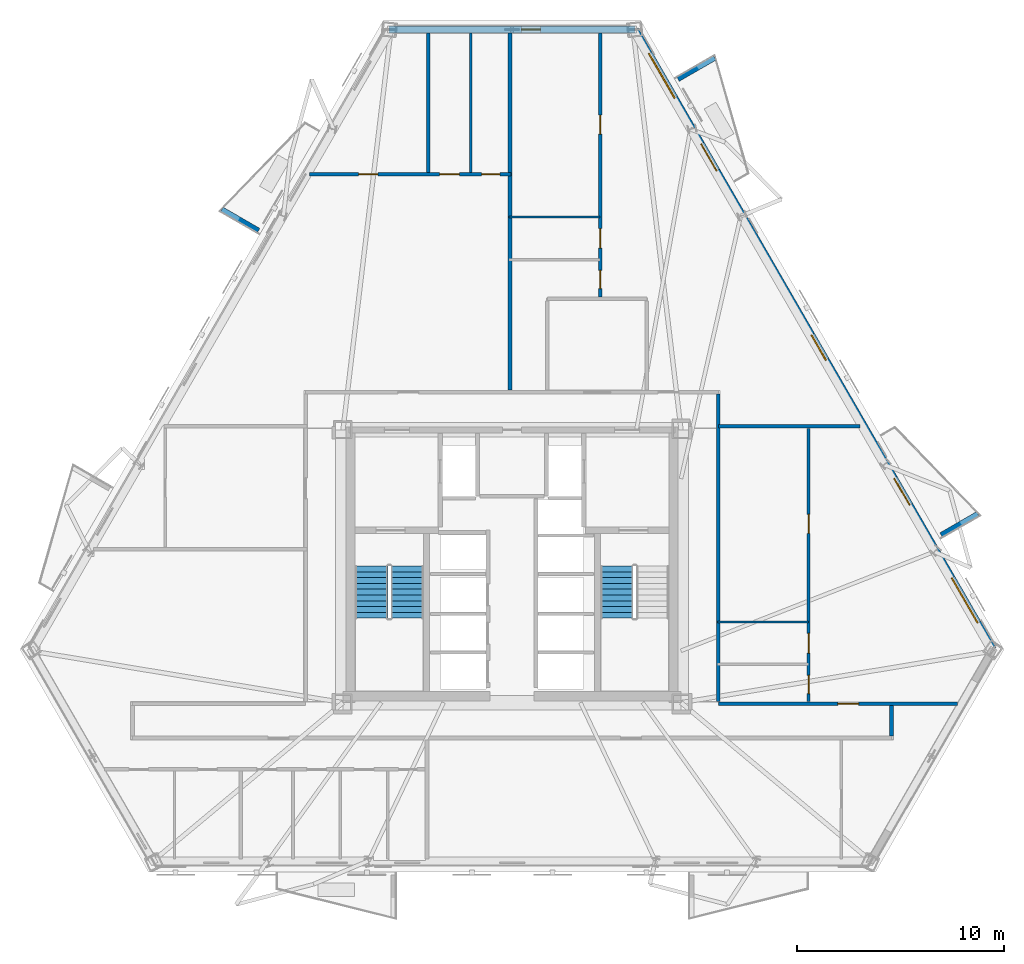
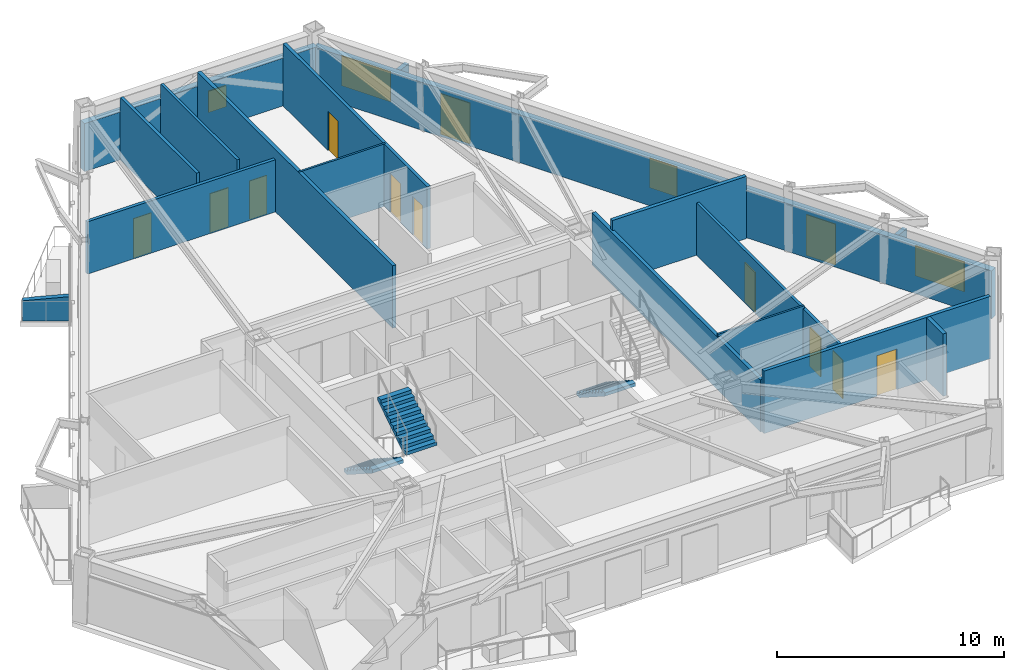
# One storey, part 5 of 10: 17 walls, 12 doors, 4 windows, 3 stair flights, 16 openings, 2 elements without a shape of their own.
"""IFC4 building model written with IfcOpenShell, lengths in metres."""

from ifc_helpers import new_model, si_unit, direction, frame, frame_2d, origin, place, context, subcontext, project, spatial, polyline, rectangle, outline, extrude, material, layer, layer_set, type_object, element, fill, aggregate, save


model = new_model("IFC4")

# Units and contexts
model_context = context("Model", 3, precision=1e-05, world=origin(), true_north=direction((0.0, 1.0)))
body_context = subcontext(model_context, "Body", "Model", "MODEL_VIEW")
ifc_project = project(units=[si_unit("LENGTHUNIT", "METRE"), si_unit("AREAUNIT", "SQUARE_METRE"), si_unit("VOLUMEUNIT", "CUBIC_METRE"), si_unit("PLANEANGLEUNIT", "RADIAN"), si_unit("MASSUNIT", "GRAM", prefix="KILO")], contexts=[model_context])

# Site, building, storey
site_placement = place(None, origin())
site = spatial("IfcSite", under=ifc_project, at=site_placement, CompositionType="ELEMENT")
building_placement = place(site_placement, origin())
building = spatial("IfcBuilding", under=site, at=building_placement, Name="Oramaril Tower", CompositionType="ELEMENT")
storey_placement = place(building_placement, frame((0.0, 0.0, 100.5)))
storey = spatial("IfcBuildingStorey", under=building, at=storey_placement, Name="L26", CompositionType="ELEMENT", Elevation=100.5)

# Wall, openings, doors, windows
ifc_material_1 = material(Name="Warm Cream Limestone", Category="masonry")
ifc_layer_1 = layer(ifc_material_1, 0.340087890625)
ifc_layer_set_1 = layer_set([ifc_layer_1], Name="WT-EXT34")
wall_type_1 = type_object("IfcWallType", Name="WT-EXT34", PredefinedType="SOLIDWALL", material=ifc_layer_set_1)
wall_1_placement = place(storey_placement, frame((60.690185546875, 13.560791015625, 0.0), z_axis=(0.0, 0.0, 1.0), x_axis=(-0.500002056916, 0.86602421622, 0.0)))
wall_1 = element("IfcWall", 1, at=wall_1_placement, inside=storey, type_object=wall_type_1, Name="L26 Tower Limestone Facade Wall 4M", PredefinedType="SOLIDWALL", context=body_context, shape_type="SweptSolid", body=[
    extrude(rectangle(XDim=34.516357421875, YDim=0.340087890625, at=frame_2d((17.25830078125, 0.0))), origin(), (0.0, 0.0, 1.0), 2.577880859375),
])
opening_1_placement = place(wall_1_placement, frame((8.034423828125, 0.0, 0.0)))
opening_1 = element("IfcOpeningElement", 2, at=opening_1_placement, cuts=wall_1, Name="Opening D-L26-BAL-NE1", PredefinedType="OPENING", context=body_context, shape_type="SweptSolid", body=[
    extrude(rectangle(XDim=1.5, YDim=2.199951171875, at=frame_2d((0.75, 1.10009765625))), frame((0.0, 0.169921875, 0.0), z_axis=(0.0, -1.0, 0.0), x_axis=(1.0, 0.0, 0.0)), (0.0, 0.0, 1.0), 0.340087890625),
])
opening_2_placement = place(wall_1_placement, frame((26.647216796875, 0.0, 0.0)))
opening_2 = element("IfcOpeningElement", 3, at=opening_2_placement, cuts=wall_1, Name="Opening D-L26-BAL-NE2", PredefinedType="OPENING", context=body_context, shape_type="SweptSolid", body=[
    extrude(rectangle(XDim=1.5, YDim=2.199951171875, at=frame_2d((0.75, 1.10009765625))), frame((0.0, 0.169921875, 0.0), z_axis=(0.0, -1.0, 0.0), x_axis=(1.0, 0.0, 0.0)), (0.0, 0.0, 1.0), 0.340087890625),
])
opening_3_placement = place(wall_1_placement, frame((1.47705078125, 0.0, 0.85009765625)))
opening_3 = element("IfcOpeningElement", 4, at=opening_3_placement, cuts=wall_1, Name="Opening WN-11", PredefinedType="OPENING", context=body_context, shape_type="SweptSolid", body=[
    extrude(rectangle(XDim=2.5, YDim=1.617919921875, at=frame_2d((1.25, 0.80908203125))), frame((0.0, 0.169921875, 0.0), z_axis=(0.0, -1.0, 0.0), x_axis=(1.0, 0.0, 0.0)), (0.0, 0.0, 1.0), 0.340087890625),
])
opening_4_placement = place(wall_1_placement, frame((16.107421875, 0.0, 0.85009765625)))
opening_4 = element("IfcOpeningElement", 5, at=opening_4_placement, cuts=wall_1, Name="Opening WN-08", PredefinedType="OPENING", context=body_context, shape_type="SweptSolid", body=[
    extrude(rectangle(XDim=1.39990234375, YDim=1.60009765625, at=frame_2d((0.699951171875, 0.800048828125))), frame((0.0, 0.169921875, 0.0), z_axis=(0.0, -1.0, 0.0), x_axis=(1.0, 0.0, 0.0)), (0.0, 0.0, 1.0), 0.340087890625),
])
opening_5_placement = place(wall_1_placement, frame((30.692626953125, 0.0, 0.85009765625)))
opening_5 = element("IfcOpeningElement", 6, at=opening_5_placement, cuts=wall_1, Name="Opening WN-11", PredefinedType="OPENING", context=body_context, shape_type="SweptSolid", body=[
    extrude(rectangle(XDim=2.5, YDim=1.617919921875, at=frame_2d((1.25, 0.80908203125))), frame((0.0, 0.169921875, 0.0), z_axis=(0.0, -1.0, 0.0), x_axis=(1.0, 0.0, 0.0)), (0.0, 0.0, 1.0), 0.340087890625),
])
ifc_material_2 = material(Name="Anodised Aluminium 6063-T6", Category="aluminium")
door_type_1 = type_object("IfcDoorType", Name="DT-BAL", OperationType="NOTDEFINED", PredefinedType="DOOR", material=ifc_material_2)
door_1_placement = place(opening_1_placement, origin())
door_1 = element("IfcDoor", 7, at=door_1_placement, inside=storey, type_object=door_type_1, Name="L26 Balcony Glazed Door L26-BAL-NE1", OperationType="SINGLE_SWING_LEFT", OverallHeight=2.199951171875, OverallWidth=1.5, PredefinedType="DOOR", context=body_context, shape_type="SweptSolid", body=[
    extrude(rectangle(XDim=1.5, YDim=2.199951171875, at=frame_2d((0.75, 1.10009765625))), frame((0.0, 0.02490234375, 0.0), z_axis=(0.0, -1.0, 0.0), x_axis=(1.0, 0.0, 0.0)), (0.0, 0.0, 1.0), 0.050048828125),
])
fill(opening_1, door_1)
door_2_placement = place(opening_2_placement, origin())
door_2 = element("IfcDoor", 8, at=door_2_placement, inside=storey, type_object=door_type_1, Name="L26 Balcony Glazed Door L26-BAL-NE2", OperationType="SINGLE_SWING_RIGHT", OverallHeight=2.199951171875, OverallWidth=1.5, PredefinedType="DOOR", context=body_context, shape_type="SweptSolid", body=[
    extrude(rectangle(XDim=1.5, YDim=2.199951171875, at=frame_2d((0.75, 1.10009765625))), frame((0.0, 0.02490234375, 0.0), z_axis=(0.0, -1.0, 0.0), x_axis=(1.0, 0.0, 0.0)), (0.0, 0.0, 1.0), 0.050048828125),
])
fill(opening_2, door_2)
ifc_material_3 = material(Name="Coastal Low-E Insulated Glass", Category="glass")
window_type_1 = type_object("IfcWindowType", Name="WNT-08", PartitioningType="SINGLE_PANEL", PredefinedType="WINDOW", material=ifc_material_3)
window_1_placement = place(opening_4_placement, origin())
window_1 = element("IfcWindow", 9, at=window_1_placement, inside=storey, type_object=window_type_1, Name="L26 Chicago Bay Window WN-08", OverallHeight=1.60009765625, OverallWidth=1.39990234375, PartitioningType="SINGLE_PANEL", PredefinedType="WINDOW", context=body_context, shape_type="SweptSolid", body=[
    extrude(rectangle(XDim=1.39990234375, YDim=1.60009765625, at=frame_2d((0.699951171875, 0.800048828125))), frame((0.0, 0.030029296875, 0.0), z_axis=(0.0, -1.0, 0.0), x_axis=(1.0, 0.0, 0.0)), (0.0, 0.0, 1.0), 0.06005859375),
])
fill(opening_4, window_1)
ifc_material_4 = material(Name="Coastal Low-E Insulated Glass", Category="glass")
window_type_2 = type_object("IfcWindowType", Name="WNT-11", PartitioningType="SINGLE_PANEL", PredefinedType="WINDOW", material=ifc_material_4)
window_2_placement = place(opening_3_placement, origin())
window_2 = element("IfcWindow", 10, at=window_2_placement, inside=storey, type_object=window_type_2, Name="L26 Chicago Bay Window WN-11", OverallHeight=1.617919921875, OverallWidth=2.5, PartitioningType="SINGLE_PANEL", PredefinedType="WINDOW", context=body_context, shape_type="SweptSolid", body=[
    extrude(rectangle(XDim=2.5, YDim=1.617919921875, at=frame_2d((1.25, 0.80908203125))), frame((0.0, 0.030029296875, 0.0), z_axis=(0.0, -1.0, 0.0), x_axis=(1.0, 0.0, 0.0)), (0.0, 0.0, 1.0), 0.06005859375),
])
fill(opening_3, window_2)
window_3_placement = place(opening_5_placement, origin())
window_3 = element("IfcWindow", 11, at=window_3_placement, inside=storey, type_object=window_type_2, Name="L26 Chicago Bay Window WN-11", OverallHeight=1.617919921875, OverallWidth=2.5, PartitioningType="SINGLE_PANEL", PredefinedType="WINDOW", context=body_context, shape_type="SweptSolid", body=[
    extrude(rectangle(XDim=2.5, YDim=1.617919921875, at=frame_2d((1.25, 0.80908203125))), frame((0.0, 0.030029296875, 0.0), z_axis=(0.0, -1.0, 0.0), x_axis=(1.0, 0.0, 0.0)), (0.0, 0.0, 1.0), 0.06005859375),
])
fill(opening_5, window_3)

# Wall, opening, window
wall_2_placement = place(storey_placement, frame((43.431884765625, 43.452880859375, 0.0), z_axis=(0.0, 0.0, 1.0), x_axis=(-1.0, 0.0, 0.0)))
wall_2 = element("IfcWall", 12, at=wall_2_placement, inside=storey, type_object=wall_type_1, Name="L26 Tower Limestone Facade Wall 5M", PredefinedType="SOLIDWALL", context=body_context, shape_type="SweptSolid", body=[
    extrude(rectangle(XDim=11.86376953125, YDim=0.340087890625, at=frame_2d((5.931884765625, 0.0))), origin(), (0.0, 0.0, 1.0), 2.577880859375),
])
opening_6_placement = place(wall_2_placement, frame((4.56689453125, 0.0, 0.85009765625)))
opening_6 = element("IfcOpeningElement", 13, at=opening_6_placement, cuts=wall_2, Name="Opening WN-12", PredefinedType="OPENING", context=body_context, shape_type="SweptSolid", body=[
    extrude(rectangle(XDim=0.89990234375, YDim=1.14990234375, at=frame_2d((0.449951171875, 0.574951171875))), frame((0.0, 0.169921875, 0.0), z_axis=(0.0, -1.0, 0.0), x_axis=(1.0, 0.0, 0.0)), (0.0, 0.0, 1.0), 0.340087890625),
])
ifc_material_5 = material(Name="Coastal Low-E Insulated Glass", Category="glass")
window_type_3 = type_object("IfcWindowType", Name="WNT-12", PartitioningType="SINGLE_PANEL", PredefinedType="WINDOW", material=ifc_material_5)
window_4_placement = place(opening_6_placement, origin())
window_4 = element("IfcWindow", 14, at=window_4_placement, inside=storey, type_object=window_type_3, Name="L26 Apartment Bedroom Window WN-12", OverallHeight=1.14990234375, OverallWidth=0.89990234375, PartitioningType="SINGLE_PANEL", PredefinedType="WINDOW", context=body_context, shape_type="SweptSolid", body=[
    extrude(rectangle(XDim=0.89990234375, YDim=1.14990234375, at=frame_2d((0.449951171875, 0.574951171875))), frame((0.0, 0.030029296875, 0.0), z_axis=(0.0, -1.0, 0.0), x_axis=(1.0, 0.0, 0.0)), (0.0, 0.0, 1.0), 0.06005859375),
])
fill(opening_6, window_4)

# Walls
ifc_material_6 = material(Name="Concrete C40/50", Category="concrete")
ifc_layer_2 = layer(ifc_material_6, 0.22998046875)
ifc_layer_set_2 = layer_set([ifc_layer_2], Name="WT-PRP23")
wall_type_2 = type_object("IfcWallType", Name="WT-PRP23", PredefinedType="PARAPET", material=ifc_layer_set_2)
for number, where, z_axis, x_axis, name in (
    (15, (58.1884765625, 19.090087890625, 0.0), (0.0, 0.0, 1.0), (0.866012356593, 0.500022597718, 0.0), "L26 Trapezoidal Balcony Frame Cheek L26-BAL-NE1-L"),
    (16, (45.507080078125, 41.0546875, 0.0), (0.0, 0.0, 1.0), (0.866012356593, 0.500022597718, 0.0), "L26 Trapezoidal Balcony Frame Cheek L26-BAL-NE2-R"),
    (17, (25.285400390625, 33.76708984375, 0.0), (0.0, 0.0, 1.0), (-0.866012356593, 0.500022597718, 0.0), "L26 Trapezoidal Balcony Frame Cheek L26-BAL-NW1-R"),
):
    element("IfcWall", number, at=place(storey_placement, frame(where, z_axis=z_axis, x_axis=x_axis)), inside=storey, type_object=wall_type_2, Name=name, PredefinedType="PARAPET", context=body_context, shape_type="SweptSolid", body=[
        extrude(outline(polyline([(0.0, 0.0), (2.0419921875, 0.0), (2.0419921875, 1.10009765625), (0.0, 1.320068359375), (0.0, 0.0)])), frame((0.0, 0.114990234375, 0.0), z_axis=(0.0, -1.0, 0.0), x_axis=(1.0, 0.0, 0.0)), (0.0, 0.0, 1.0), 0.22998046875),
    ])
ifc_material_7 = material(Name="Acoustic Gypsum Board Partition")
ifc_layer_3 = layer(ifc_material_7, 0.10009765625)
ifc_layer_set_3 = layer_set([ifc_layer_3], Name="WT-PT10")
wall_type_3 = type_object("IfcWallType", Name="WT-PT10", PredefinedType="PARTITIONING", material=ifc_layer_set_3)
wall_3_placement = place(storey_placement, frame((47.39990234375, 14.889892578125, 0.0), z_axis=(0.0, 0.0, 1.0), x_axis=(1.0, 0.0, 0.0)))
element("IfcWall", 18, at=wall_3_placement, inside=storey, type_object=wall_type_3, Name="L26 Interior Partition PT-10", PredefinedType="PARTITIONING", context=body_context, shape_type="SweptSolid", body=[
    extrude(rectangle(XDim=4.400146484375, YDim=0.10009765625, at=frame_2d((2.2001953125, 0.0))), origin(), (0.0, 0.0, 1.0), 2.946044921875),
])
wall_4_placement = place(storey_placement, frame((37.35009765625, 34.409912109375, 0.0), z_axis=(0.0, 0.0, 1.0), x_axis=(1.0, 0.0, 0.0)))
element("IfcWall", 19, at=wall_4_placement, inside=storey, type_object=wall_type_3, Name="L26 Interior Partition PT-10", PredefinedType="PARTITIONING", context=body_context, shape_type="SweptSolid", body=[
    extrude(rectangle(XDim=4.39990234375, YDim=0.10009765625, at=frame_2d((2.199951171875, 0.0))), origin(), (0.0, 0.0, 1.0), 3.360107421875),
])
ifc_material_8 = material(Name="Acoustic Gypsum Board Partition")
ifc_layer_4 = layer(ifc_material_8, 0.139892578125)
ifc_layer_set_4 = layer_set([ifc_layer_4], Name="WT-PT14")
wall_type_4 = type_object("IfcWallType", Name="WT-PT14", PredefinedType="PARTITIONING", material=ifc_layer_set_4)
wall_5_placement = place(storey_placement, frame((35.510009765625, 36.553955078125, 0.0), z_axis=(0.0, 0.0, 1.0), x_axis=(0.0, 1.0, 0.0)))
element("IfcWall", 20, at=wall_5_placement, inside=storey, type_object=wall_type_4, Name="L26 Interior Partition PT-14", PredefinedType="PARTITIONING", context=body_context, shape_type="SweptSolid", body=[
    extrude(rectangle(XDim=6.72509765625, YDim=0.139892578125, at=frame_2d((3.362548828125, 0.0))), origin(), (0.0, 0.0, 1.0), 3.360107421875),
])

# Wall, openings, doors
wall_6_placement = place(storey_placement, frame((51.800048828125, 11.0439453125, 0.0), z_axis=(0.0, 0.0, 1.0), x_axis=(0.0, 1.0, 0.0)))
wall_6 = element("IfcWall", 21, at=wall_6_placement, inside=storey, type_object=wall_type_4, Name="L26 Interior Partition PT-14", PredefinedType="PARTITIONING", context=body_context, shape_type="SweptSolid", body=[
    extrude(rectangle(XDim=13.18212890625, YDim=0.139892578125, at=frame_2d((6.591064453125, 0.0))), origin(), (0.0, 0.0, 1.0), 2.81396484375),
])
opening_7_placement = place(wall_6_placement, frame((0.39599609375, 0.0, 0.0)))
opening_7 = element("IfcOpeningElement", 22, at=opening_7_placement, cuts=wall_6, Name="Opening D-L26-21", PredefinedType="OPENING", context=body_context, shape_type="SweptSolid", body=[
    extrude(rectangle(XDim=0.8798828125, YDim=2.080078125, at=frame_2d((0.43994140625, 1.0400390625))), frame((0.0, 0.06982421875, 0.0), z_axis=(0.0, -1.0, 0.0), x_axis=(1.0, 0.0, 0.0)), (0.0, 0.0, 1.0), 0.139892578125),
])
opening_8_placement = place(wall_6_placement, frame((2.345947265625, 0.0, 0.0)))
opening_8 = element("IfcOpeningElement", 23, at=opening_8_placement, cuts=wall_6, Name="Opening D-L26-22", PredefinedType="OPENING", context=body_context, shape_type="SweptSolid", body=[
    extrude(rectangle(XDim=0.949951171875, YDim=2.10009765625, at=frame_2d((0.47509765625, 1.050048828125))), frame((0.0, 0.06982421875, 0.0), z_axis=(0.0, -1.0, 0.0), x_axis=(1.0, 0.0, 0.0)), (0.0, 0.0, 1.0), 0.139892578125),
])
opening_9_placement = place(wall_6_placement, frame((8.115966796875, 0.0, 0.0)))
opening_9 = element("IfcOpeningElement", 24, at=opening_9_placement, cuts=wall_6, Name="Opening D-L26-23", PredefinedType="OPENING", context=body_context, shape_type="SweptSolid", body=[
    extrude(rectangle(XDim=0.919921875, YDim=2.1201171875, at=frame_2d((0.4599609375, 1.06005859375))), frame((0.0, 0.06982421875, 0.0), z_axis=(0.0, -1.0, 0.0), x_axis=(1.0, 0.0, 0.0)), (0.0, 0.0, 1.0), 0.139892578125),
])
ifc_material_9 = material(Name="FSC Brazilian Freijo Hardwood", Category="wood")
door_type_2 = type_object("IfcDoorType", Name="DT-BATH", OperationType="NOTDEFINED", PredefinedType="DOOR", material=ifc_material_9)
door_3_placement = place(opening_7_placement, origin())
door_3 = element("IfcDoor", 25, at=door_3_placement, inside=storey, type_object=door_type_2, Name="L26 Flat L26-U4 Bathroom Door D-L26-21", OperationType="SINGLE_SWING_LEFT", OverallHeight=2.080078125, OverallWidth=0.8798828125, PredefinedType="DOOR", context=body_context, shape_type="SweptSolid", body=[
    extrude(rectangle(XDim=0.8798828125, YDim=2.080078125, at=frame_2d((0.43994140625, 1.0400390625))), frame((0.0, 0.02490234375, 0.0), z_axis=(0.0, -1.0, 0.0), x_axis=(1.0, 0.0, 0.0)), (0.0, 0.0, 1.0), 0.050048828125),
])
fill(opening_7, door_3)
ifc_material_10 = material(Name="FSC Brazilian Freijo Hardwood", Category="wood")
door_type_3 = type_object("IfcDoorType", Name="DT-BED", OperationType="NOTDEFINED", PredefinedType="DOOR", material=ifc_material_10)
door_4_placement = place(opening_9_placement, origin())
door_4 = element("IfcDoor", 26, at=door_4_placement, inside=storey, type_object=door_type_3, Name="L26 Flat L26-U4 Master Bedroom Door D-L26-23", OperationType="SINGLE_SWING_LEFT", OverallHeight=2.1201171875, OverallWidth=0.919921875, PredefinedType="DOOR", context=body_context, shape_type="SweptSolid", body=[
    extrude(rectangle(XDim=0.919921875, YDim=2.1201171875, at=frame_2d((0.4599609375, 1.06005859375))), frame((0.0, 0.02490234375, 0.0), z_axis=(0.0, -1.0, 0.0), x_axis=(1.0, 0.0, 0.0)), (0.0, 0.0, 1.0), 0.050048828125),
])
fill(opening_9, door_4)
ifc_material_11 = material(Name="FSC Brazilian Freijo Hardwood", Category="wood")
door_type_4 = type_object("IfcDoorType", Name="DT-STDY", OperationType="NOTDEFINED", PredefinedType="DOOR", material=ifc_material_11)
door_5_placement = place(opening_8_placement, origin())
door_5 = element("IfcDoor", 27, at=door_5_placement, inside=storey, type_object=door_type_4, Name="L26 Flat L26-U4 Kitchen Door D-L26-22", OperationType="SINGLE_SWING_RIGHT", OverallHeight=2.10009765625, OverallWidth=0.949951171875, PredefinedType="DOOR", context=body_context, shape_type="SweptSolid", body=[
    extrude(rectangle(XDim=0.949951171875, YDim=2.10009765625, at=frame_2d((0.47509765625, 1.050048828125))), frame((0.0, 0.02490234375, 0.0), z_axis=(0.0, -1.0, 0.0), x_axis=(1.0, 0.0, 0.0)), (0.0, 0.0, 1.0), 0.050048828125),
])
fill(opening_8, door_5)

ifc_material_12 = material(Name="Acoustic Gypsum Board Partition")
ifc_layer_5 = layer(ifc_material_12, 0.159912109375)
ifc_layer_set_5 = layer_set([ifc_layer_5], Name="WT-PT16")
wall_type_5 = type_object("IfcWallType", Name="WT-PT16", PredefinedType="PARTITIONING", material=ifc_layer_set_5)
wall_7_placement = place(storey_placement, frame((27.7373046875, 36.469970703125, 0.0), z_axis=(0.0, 0.0, 1.0), x_axis=(1.0, 0.0, 0.0)))
wall_7 = element("IfcWall", 28, at=wall_7_placement, inside=storey, type_object=wall_type_5, Name="L26 Interior Partition PT-16", PredefinedType="PARTITIONING", context=body_context, shape_type="SweptSolid", body=[
    extrude(rectangle(XDim=9.712646484375, YDim=0.159912109375, at=frame_2d((4.8564453125, 0.0))), origin(), (0.0, 0.0, 1.0), 2.81396484375),
])
opening_10_placement = place(wall_7_placement, frame((2.372314453125, 0.0, 0.0)))
opening_10 = element("IfcOpeningElement", 29, at=opening_10_placement, cuts=wall_7, Name="Opening D-L26-13", PredefinedType="OPENING", context=body_context, shape_type="SweptSolid", body=[
    extrude(rectangle(XDim=0.919921875, YDim=2.1201171875, at=frame_2d((0.4599609375, 1.06005859375))), frame((0.0, 0.080078125, 0.0), z_axis=(0.0, -1.0, 0.0), x_axis=(1.0, 0.0, 0.0)), (0.0, 0.0, 1.0), 0.159912109375),
])
opening_11_placement = place(wall_7_placement, frame((6.272705078125, 0.0, 0.0)))
opening_11 = element("IfcOpeningElement", 30, at=opening_11_placement, cuts=wall_7, Name="Opening D-L26-14", PredefinedType="OPENING", context=body_context, shape_type="SweptSolid", body=[
    extrude(rectangle(XDim=0.949951171875, YDim=2.10009765625, at=frame_2d((0.47509765625, 1.050048828125))), frame((0.0, 0.080078125, 0.0), z_axis=(0.0, -1.0, 0.0), x_axis=(1.0, 0.0, 0.0)), (0.0, 0.0, 1.0), 0.159912109375),
])
opening_12_placement = place(wall_7_placement, frame((8.29248046875, 0.0, 0.0)))
opening_12 = element("IfcOpeningElement", 31, at=opening_12_placement, cuts=wall_7, Name="Opening D-L26-15", PredefinedType="OPENING", context=body_context, shape_type="SweptSolid", body=[
    extrude(rectangle(XDim=0.8798828125, YDim=2.080078125, at=frame_2d((0.43994140625, 1.0400390625))), frame((0.0, 0.080078125, 0.0), z_axis=(0.0, -1.0, 0.0), x_axis=(1.0, 0.0, 0.0)), (0.0, 0.0, 1.0), 0.159912109375),
])
door_6_placement = place(opening_12_placement, origin())
door_6 = element("IfcDoor", 32, at=door_6_placement, inside=storey, type_object=door_type_2, Name="L26 Flat L26-U5 Bathroom Door D-L26-15", OperationType="SINGLE_SWING_LEFT", OverallHeight=2.080078125, OverallWidth=0.8798828125, PredefinedType="DOOR", context=body_context, shape_type="SweptSolid", body=[
    extrude(rectangle(XDim=0.8798828125, YDim=2.080078125, at=frame_2d((0.43994140625, 1.0400390625))), frame((0.0, 0.02490234375, 0.0), z_axis=(0.0, -1.0, 0.0), x_axis=(1.0, 0.0, 0.0)), (0.0, 0.0, 1.0), 0.050048828125),
])
fill(opening_12, door_6)
door_7_placement = place(opening_10_placement, origin())
door_7 = element("IfcDoor", 33, at=door_7_placement, inside=storey, type_object=door_type_3, Name="L26 Flat L26-U5 Master Bedroom Door D-L26-13", OperationType="SINGLE_SWING_LEFT", OverallHeight=2.1201171875, OverallWidth=0.919921875, PredefinedType="DOOR", context=body_context, shape_type="SweptSolid", body=[
    extrude(rectangle(XDim=0.919921875, YDim=2.1201171875, at=frame_2d((0.4599609375, 1.06005859375))), frame((0.0, 0.02490234375, 0.0), z_axis=(0.0, -1.0, 0.0), x_axis=(1.0, 0.0, 0.0)), (0.0, 0.0, 1.0), 0.050048828125),
])
fill(opening_10, door_7)
door_8_placement = place(opening_11_placement, origin())
door_8 = element("IfcDoor", 34, at=door_8_placement, inside=storey, type_object=door_type_4, Name="L26 Flat L26-U5 Kitchen Door D-L26-14", OperationType="SINGLE_SWING_RIGHT", OverallHeight=2.10009765625, OverallWidth=0.949951171875, PredefinedType="DOOR", context=body_context, shape_type="SweptSolid", body=[
    extrude(rectangle(XDim=0.949951171875, YDim=2.10009765625, at=frame_2d((0.47509765625, 1.050048828125))), frame((0.0, 0.02490234375, 0.0), z_axis=(0.0, -1.0, 0.0), x_axis=(1.0, 0.0, 0.0)), (0.0, 0.0, 1.0), 0.050048828125),
])
fill(opening_11, door_8)

# Wall
wall_8_placement = place(storey_placement, frame((33.4599609375, 36.553955078125, 0.0), z_axis=(0.0, 0.0, 1.0), x_axis=(0.0, 1.0, 0.0)))
element("IfcWall", 35, at=wall_8_placement, inside=storey, type_object=wall_type_5, Name="L26 Interior Partition PT-16", PredefinedType="PARTITIONING", context=body_context, shape_type="SweptSolid", body=[
    extrude(rectangle(XDim=6.72509765625, YDim=0.159912109375, at=frame_2d((3.362548828125, 0.0))), origin(), (0.0, 0.0, 1.0), 3.360107421875),
])

# Wall, openings, doors
wall_9_placement = place(storey_placement, frame((41.75, 30.56396484375, 0.0), z_axis=(0.0, 0.0, 1.0), x_axis=(0.0, 1.0, 0.0)))
wall_9 = element("IfcWall", 36, at=wall_9_placement, inside=storey, type_object=wall_type_5, Name="L26 Interior Partition PT-16", PredefinedType="PARTITIONING", context=body_context, shape_type="SweptSolid", body=[
    extrude(rectangle(XDim=12.715087890625, YDim=0.159912109375, at=frame_2d((6.357421875, 0.0))), origin(), (0.0, 0.0, 1.0), 3.360107421875),
])
opening_13_placement = place(wall_9_placement, frame((0.39599609375, 0.0, 0.0)))
opening_13 = element("IfcOpeningElement", 37, at=opening_13_placement, cuts=wall_9, Name="Opening D-L26-18", PredefinedType="OPENING", context=body_context, shape_type="SweptSolid", body=[
    extrude(rectangle(XDim=0.8798828125, YDim=2.080078125, at=frame_2d((0.43994140625, 1.0400390625))), frame((0.0, 0.080078125, 0.0), z_axis=(0.0, -1.0, 0.0), x_axis=(1.0, 0.0, 0.0)), (0.0, 0.0, 1.0), 0.159912109375),
])
opening_14_placement = place(wall_9_placement, frame((2.345947265625, 0.0, 0.0)))
opening_14 = element("IfcOpeningElement", 38, at=opening_14_placement, cuts=wall_9, Name="Opening D-L26-19", PredefinedType="OPENING", context=body_context, shape_type="SweptSolid", body=[
    extrude(rectangle(XDim=0.949951171875, YDim=2.10009765625, at=frame_2d((0.47509765625, 1.050048828125))), frame((0.0, 0.080078125, 0.0), z_axis=(0.0, -1.0, 0.0), x_axis=(1.0, 0.0, 0.0)), (0.0, 0.0, 1.0), 0.159912109375),
])
opening_15_placement = place(wall_9_placement, frame((7.847412109375, 0.0, 0.0)))
opening_15 = element("IfcOpeningElement", 39, at=opening_15_placement, cuts=wall_9, Name="Opening D-L26-20", PredefinedType="OPENING", context=body_context, shape_type="SweptSolid", body=[
    extrude(rectangle(XDim=0.919921875, YDim=2.1201171875, at=frame_2d((0.4599609375, 1.06005859375))), frame((0.0, 0.080078125, 0.0), z_axis=(0.0, -1.0, 0.0), x_axis=(1.0, 0.0, 0.0)), (0.0, 0.0, 1.0), 0.159912109375),
])
door_9_placement = place(opening_13_placement, origin())
door_9 = element("IfcDoor", 40, at=door_9_placement, inside=storey, type_object=door_type_2, Name="L26 Flat L26-U6 Bathroom Door D-L26-18", OperationType="SINGLE_SWING_RIGHT", OverallHeight=2.080078125, OverallWidth=0.8798828125, PredefinedType="DOOR", context=body_context, shape_type="SweptSolid", body=[
    extrude(rectangle(XDim=0.8798828125, YDim=2.080078125, at=frame_2d((0.43994140625, 1.0400390625))), frame((0.0, 0.02490234375, 0.0), z_axis=(0.0, -1.0, 0.0), x_axis=(1.0, 0.0, 0.0)), (0.0, 0.0, 1.0), 0.050048828125),
])
fill(opening_13, door_9)
door_10_placement = place(opening_15_placement, origin())
door_10 = element("IfcDoor", 41, at=door_10_placement, inside=storey, type_object=door_type_3, Name="L26 Flat L26-U6 Master Bedroom Door D-L26-20", OperationType="SINGLE_SWING_RIGHT", OverallHeight=2.1201171875, OverallWidth=0.919921875, PredefinedType="DOOR", context=body_context, shape_type="SweptSolid", body=[
    extrude(rectangle(XDim=0.919921875, YDim=2.1201171875, at=frame_2d((0.4599609375, 1.06005859375))), frame((0.0, 0.02490234375, 0.0), z_axis=(0.0, -1.0, 0.0), x_axis=(1.0, 0.0, 0.0)), (0.0, 0.0, 1.0), 0.050048828125),
])
fill(opening_15, door_10)
door_11_placement = place(opening_14_placement, origin())
door_11 = element("IfcDoor", 42, at=door_11_placement, inside=storey, type_object=door_type_4, Name="L26 Flat L26-U6 Kitchen Door D-L26-19", OperationType="SINGLE_SWING_LEFT", OverallHeight=2.10009765625, OverallWidth=0.949951171875, PredefinedType="DOOR", context=body_context, shape_type="SweptSolid", body=[
    extrude(rectangle(XDim=0.949951171875, YDim=2.10009765625, at=frame_2d((0.47509765625, 1.050048828125))), frame((0.0, 0.02490234375, 0.0), z_axis=(0.0, -1.0, 0.0), x_axis=(1.0, 0.0, 0.0)), (0.0, 0.0, 1.0), 0.050048828125),
])
fill(opening_14, door_11)

# Wall, opening, door
ifc_material_13 = material(Name="Autoclaved Cellular Concrete Block", Category="concrete")
ifc_layer_6 = layer(ifc_material_13, 0.179931640625)
ifc_layer_set_6 = layer_set([ifc_layer_6], Name="WT-PT18")
wall_type_6 = type_object("IfcWallType", Name="WT-PT18", PredefinedType="PARTITIONING", material=ifc_layer_set_6)
wall_10_placement = place(storey_placement, frame((47.449951171875, 10.949951171875, 0.0), z_axis=(0.0, 0.0, 1.0), x_axis=(1.0, 0.0, 0.0)))
wall_10 = element("IfcWall", 43, at=wall_10_placement, inside=storey, type_object=wall_type_6, Name="L26 Interior Partition PT-18", PredefinedType="PARTITIONING", context=body_context, shape_type="SweptSolid", body=[
    extrude(rectangle(XDim=11.531982421875, YDim=0.179931640625, at=frame_2d((5.76611328125, 0.0))), origin(), (0.0, 0.0, 1.0), 3.360107421875),
])
opening_16_placement = place(wall_10_placement, frame((5.75634765625, 0.0, 0.0)))
opening_16 = element("IfcOpeningElement", 44, at=opening_16_placement, cuts=wall_10, Name="Opening D-L26-09", PredefinedType="OPENING", context=body_context, shape_type="SweptSolid", body=[
    extrude(rectangle(XDim=1.0, YDim=2.179931640625, at=frame_2d((0.5, 1.08984375))), frame((0.0, 0.08984375, 0.0), z_axis=(0.0, -1.0, 0.0), x_axis=(1.0, 0.0, 0.0)), (0.0, 0.0, 1.0), 0.179931640625),
])
ifc_material_14 = material(Name="FSC Brazilian Freijo Hardwood", Category="wood")
door_type_5 = type_object("IfcDoorType", Name="DT-APT", OperationType="NOTDEFINED", PredefinedType="DOOR", material=ifc_material_14)
door_12_placement = place(opening_16_placement, origin())
door_12 = element("IfcDoor", 45, at=door_12_placement, inside=storey, type_object=door_type_5, Name="L26 Flat L26-U4 Penthouse Living and Dining Room Door D-L26-09", OperationType="SINGLE_SWING_LEFT", OverallHeight=2.179931640625, OverallWidth=1.0, PredefinedType="DOOR", context=body_context, shape_type="SweptSolid", body=[
    extrude(rectangle(XDim=1.0, YDim=2.179931640625, at=frame_2d((0.5, 1.08984375))), frame((0.0, 0.02490234375, 0.0), z_axis=(0.0, -1.0, 0.0), x_axis=(1.0, 0.0, 0.0)), (0.0, 0.0, 1.0), 0.050048828125),
])
fill(opening_16, door_12)

# Walls
wall_11_placement = place(storey_placement, frame((47.449951171875, 24.320068359375, 0.0), z_axis=(0.0, 0.0, 1.0), x_axis=(1.0, 0.0, 0.0)))
element("IfcWall", 46, at=wall_11_placement, inside=storey, type_object=wall_type_6, Name="L26 Interior Partition PT-18", PredefinedType="PARTITIONING", context=body_context, shape_type="SweptSolid", body=[
    extrude(rectangle(XDim=6.827392578125, YDim=0.179931640625, at=frame_2d((3.41357421875, 0.0))), origin(), (0.0, 0.0, 1.0), 3.360107421875),
])
wall_12_placement = place(storey_placement, frame((37.39990234375, 26.06396484375, 0.0), z_axis=(0.0, 0.0, 1.0), x_axis=(0.0, 1.0, 0.0)))
element("IfcWall", 47, at=wall_12_placement, inside=storey, type_object=wall_type_6, Name="L26 Interior Partition PT-18", PredefinedType="PARTITIONING", context=body_context, shape_type="SweptSolid", body=[
    extrude(rectangle(XDim=17.215087890625, YDim=0.179931640625, at=frame_2d((8.607421875, 0.0))), origin(), (0.0, 0.0, 1.0), 3.360107421875),
])
wall_13_placement = place(storey_placement, frame((47.449951171875, 11.0439453125, 0.0), z_axis=(0.0, 0.0, 1.0), x_axis=(0.0, 1.0, 0.0)))
element("IfcWall", 48, at=wall_13_placement, inside=storey, type_object=wall_type_6, Name="L26 Interior Partition PT-18", PredefinedType="PARTITIONING", context=body_context, shape_type="SweptSolid", body=[
    extrude(rectangle(XDim=14.83203125, YDim=0.179931640625, at=frame_2d((7.416015625, 0.0))), origin(), (0.0, 0.0, 1.0), 2.81396484375),
])
wall_14_placement = place(storey_placement, frame((55.800048828125, 9.39404296875, 0.0), z_axis=(0.0, 0.0, 1.0), x_axis=(0.0, 1.0, 0.0)))
element("IfcWall", 49, at=wall_14_placement, inside=storey, type_object=wall_type_6, Name="L26 Interior Partition PT-18", PredefinedType="PARTITIONING", context=body_context, shape_type="SweptSolid", body=[
    extrude(rectangle(XDim=1.4619140625, YDim=0.179931640625, at=frame_2d((0.73095703125, 0.0))), origin(), (0.0, 0.0, 1.0), 3.360107421875),
])

# Stair, stair flights
ifc_material_15 = material(Name="Concrete C50/60", Category="concrete")
stair_type = type_object("IfcStairType", Name="STT-DG-3600", PredefinedType="HALF_TURN_STAIR", material=ifc_material_15)
stair_1_placement = place(storey_placement, origin())
stair_1 = element("IfcStair", 50, at=stair_1_placement, inside=storey, type_object=stair_type, Name="L26 Protected PFP Exit Stair ST-1", PredefinedType="HALF_TURN_STAIR")
ifc_material_16 = material(Name="Concrete C50/60", Category="concrete")
stair_flight_type = type_object("IfcStairFlightType", Name="SFT-DG-3600", PredefinedType="STRAIGHT", material=ifc_material_16)
stair_flight_1_placement = place(storey_placement, frame((30.72998046875, 17.590087890625, 0.0), z_axis=(0.0, 0.0, 1.0), x_axis=(0.0, -1.0, 0.0)))
stair_flight_1 = element("IfcStairFlight", 51, at=stair_flight_1_placement, type_object=stair_flight_type, Name="ST-1 flight 1", NumberOfRisers=10, NumberOfTreads=9, PredefinedType="STRAIGHT", RiserHeight=0.18, TreadLength=0.28, context=body_context, shape_type="SweptSolid", body=[
    extrude(outline(polyline([(0.0, 0.0), (0.0, 0.179931640625), (0.280029296875, 0.179931640625), (0.280029296875, 0.360107421875), (0.56005859375, 0.360107421875), (0.56005859375, 0.5400390625), (0.840087890625, 0.5400390625), (0.840087890625, 0.719970703125), (1.1201171875, 0.719970703125), (1.1201171875, 0.89990234375), (1.39990234375, 0.89990234375), (1.39990234375, 1.080078125), (1.679931640625, 1.080078125), (1.679931640625, 1.260009765625), (1.9599609375, 1.260009765625), (1.9599609375, 1.43994140625), (2.239990234375, 1.43994140625), (2.239990234375, 1.6201171875), (2.52001953125, 1.6201171875), (2.52001953125, 1.800048828125), (2.52001953125, 1.44189453125), (0.277099609375, 0.0), (0.0, 0.0)])), frame((0.0, 0.780029296875, 0.0), z_axis=(0.0, -1.0, 0.0), x_axis=(1.0, 0.0, 0.0)), (0.0, 0.0, 1.0), 1.56005859375),
])
stair_flight_2_placement = place(storey_placement, frame((32.43994140625, 15.070068359375, 1.800048828125), z_axis=(0.0, 0.0, 1.0), x_axis=(0.0, 1.0, 0.0)))
stair_flight_2 = element("IfcStairFlight", 52, at=stair_flight_2_placement, type_object=stair_flight_type, Name="ST-1 flight 2", NumberOfRisers=10, NumberOfTreads=9, PredefinedType="STRAIGHT", RiserHeight=0.18, TreadLength=0.28, context=body_context, shape_type="SweptSolid", body=[
    extrude(outline(polyline([(0.0, 0.0), (0.0, 0.179931640625), (0.280029296875, 0.179931640625), (0.280029296875, 0.360107421875), (0.56005859375, 0.360107421875), (0.56005859375, 0.5400390625), (0.840087890625, 0.5400390625), (0.840087890625, 0.719970703125), (1.1201171875, 0.719970703125), (1.1201171875, 0.89990234375), (1.39990234375, 0.89990234375), (1.39990234375, 1.080078125), (1.679931640625, 1.080078125), (1.679931640625, 1.260009765625), (1.9599609375, 1.260009765625), (1.9599609375, 1.43994140625), (2.239990234375, 1.43994140625), (2.239990234375, 1.6201171875), (2.52001953125, 1.6201171875), (2.52001953125, 1.800048828125), (2.52001953125, 1.44189453125), (0.277099609375, 0.0), (0.0, 0.0)])), frame((0.0, 0.780029296875, 0.0), z_axis=(0.0, -1.0, 0.0), x_axis=(1.0, 0.0, 0.0)), (0.0, 0.0, 1.0), 1.56005859375),
])
aggregate(stair_1, [stair_flight_1, stair_flight_2])

# Stair, stair flight
stair_2_placement = place(storey_placement, origin())
stair_2 = element("IfcStair", 53, at=stair_2_placement, inside=storey, type_object=stair_type, Name="L26 Protected PFP Exit Stair ST-2", PredefinedType="HALF_TURN_STAIR")
stair_flight_3_placement = place(storey_placement, frame((42.56005859375, 17.590087890625, 0.0), z_axis=(0.0, 0.0, 1.0), x_axis=(0.0, -1.0, 0.0)))
stair_flight_3 = element("IfcStairFlight", 54, at=stair_flight_3_placement, type_object=stair_flight_type, Name="ST-2 flight 1", NumberOfRisers=10, NumberOfTreads=9, PredefinedType="STRAIGHT", RiserHeight=0.18, TreadLength=0.28, context=body_context, shape_type="SweptSolid", body=[
    extrude(outline(polyline([(0.0, 0.0), (0.0, 0.179931640625), (0.280029296875, 0.179931640625), (0.280029296875, 0.360107421875), (0.56005859375, 0.360107421875), (0.56005859375, 0.5400390625), (0.840087890625, 0.5400390625), (0.840087890625, 0.719970703125), (1.1201171875, 0.719970703125), (1.1201171875, 0.89990234375), (1.39990234375, 0.89990234375), (1.39990234375, 1.080078125), (1.679931640625, 1.080078125), (1.679931640625, 1.260009765625), (1.9599609375, 1.260009765625), (1.9599609375, 1.43994140625), (2.239990234375, 1.43994140625), (2.239990234375, 1.6201171875), (2.52001953125, 1.6201171875), (2.52001953125, 1.800048828125), (2.52001953125, 1.44189453125), (0.277099609375, 0.0), (0.0, 0.0)])), frame((0.0, 0.780029296875, 0.0), z_axis=(0.0, -1.0, 0.0), x_axis=(1.0, 0.0, 0.0)), (0.0, 0.0, 1.0), 1.56005859375),
])
aggregate(stair_2, [stair_flight_3])

save(model, "model.ifc")
